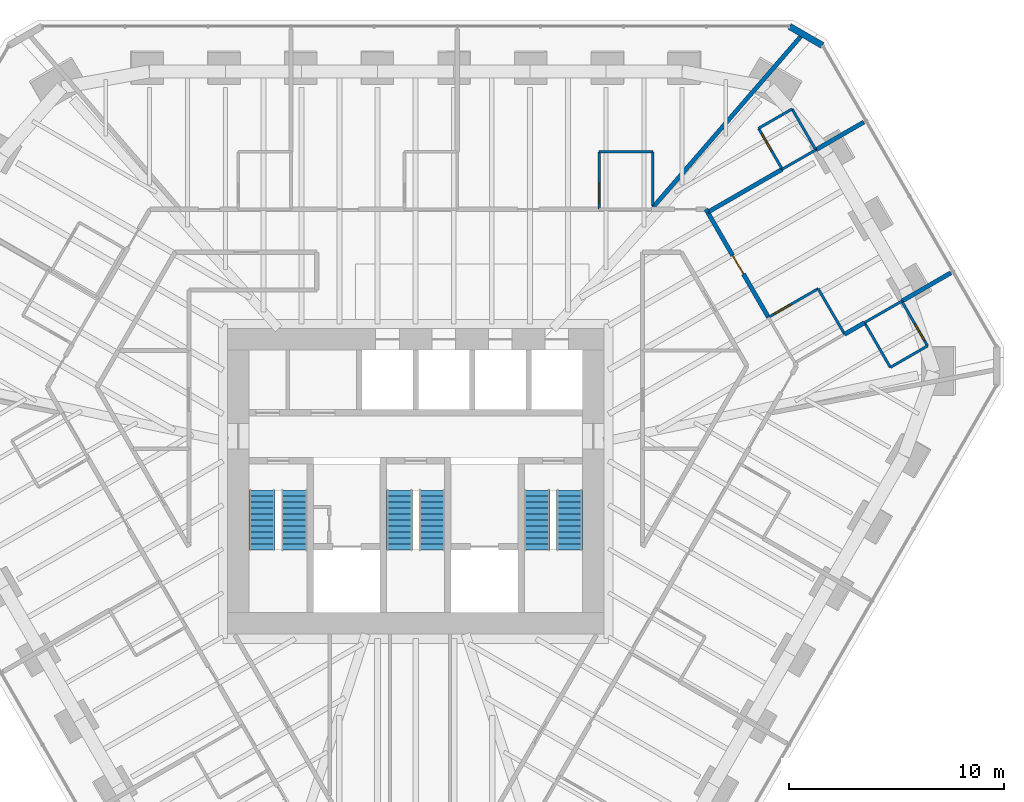
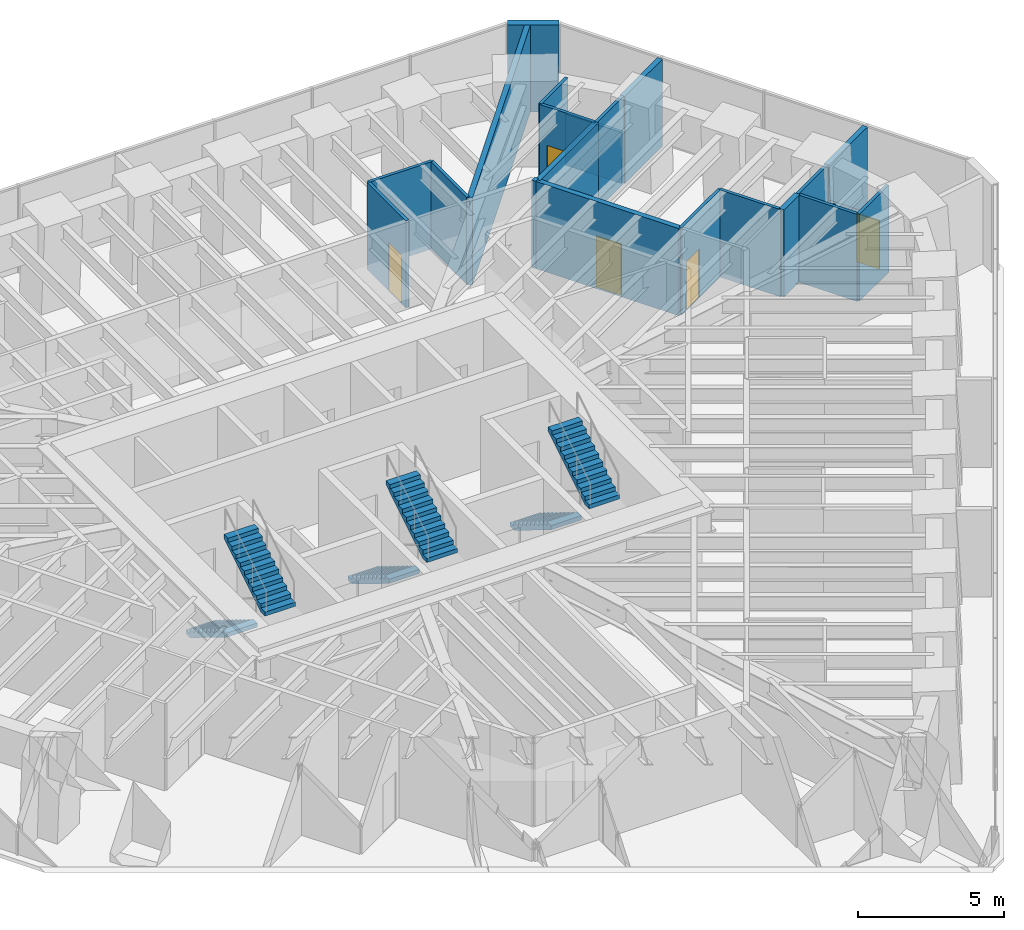
# One storey, part 15 of 16: 21 walls, 6 stair flights, 5 doors, 5 openings, 3 elements without a shape of their own.
"""IFC4 building model written with IfcOpenShell, lengths in metres."""

from ifc_helpers import new_model, si_unit, direction, frame, frame_2d, origin, place, context, subcontext, project, spatial, polyline, rectangle, outline, extrude, material, layer, layer_set, type_object, element, fill, aggregate, save


model = new_model("IFC4")

# Units and contexts
model_context = context("Model", 3, precision=1e-05, world=origin(), true_north=direction((0.0, 1.0)))
body_context = subcontext(model_context, "Body", "Model", "MODEL_VIEW")
ifc_project = project(units=[si_unit("LENGTHUNIT", "METRE"), si_unit("AREAUNIT", "SQUARE_METRE"), si_unit("VOLUMEUNIT", "CUBIC_METRE"), si_unit("PLANEANGLEUNIT", "RADIAN"), si_unit("MASSUNIT", "GRAM", prefix="KILO")], contexts=[model_context])

# Site, building, storey
site_placement = place(None, origin())
site = spatial("IfcSite", under=ifc_project, at=site_placement, CompositionType="ELEMENT")
building_placement = place(site_placement, origin())
building = spatial("IfcBuilding", under=site, at=building_placement, Name="Sandreach Pilgrim Tower", CompositionType="ELEMENT")
storey_placement = place(building_placement, frame((0.0, 0.0, 244.0)))
storey = spatial("IfcBuildingStorey", under=building, at=storey_placement, Name="L61", CompositionType="ELEMENT", Elevation=244.0)

# Wall, opening, door
ifc_material_1 = material(Name="Moisture-resistant gypsum board on steel studs", Category="steel")
ifc_layer_1 = layer(ifc_material_1, 0.1201171875)
ifc_layer_set_1 = layer_set([ifc_layer_1], Name="Bathroom partition 120")
wall_type_1 = type_object("IfcWallType", Name="Bathroom partition 120", PredefinedType="PARTITIONING", material=ifc_layer_set_1)
wall_1_placement = place(storey_placement, frame((8.530029296875, 15.330078125, 0.0), z_axis=(0.0, 0.0, 1.0), x_axis=(0.0, -1.0, 0.0)))
wall_1 = element("IfcWall", 1, at=wall_1_placement, inside=storey, type_object=wall_type_1, Name="Bathroom partition L61-095", PredefinedType="PARTITIONING", context=body_context, shape_type="SweptSolid", body=[
    extrude(rectangle(XDim=2.670166015625, YDim=0.1201171875, at=frame_2d((1.3349609375, 0.0))), origin(), (0.0, 0.0, 1.0), 3.639892578125),
])
opening_1_placement = place(wall_1_placement, frame((1.469970703125, 0.0, 0.0)))
opening_1 = element("IfcOpeningElement", 2, at=opening_1_placement, cuts=wall_1, Name="Opening D09-03B", PredefinedType="OPENING", context=body_context, shape_type="SweptSolid", body=[
    extrude(rectangle(XDim=0.89990234375, YDim=2.030029296875, at=frame_2d((0.449951171875, 1.01513671875))), frame((0.0, 0.06005859375, 0.0), z_axis=(0.0, -1.0, 0.0), x_axis=(1.0, 0.0, 0.0)), (0.0, 0.0, 1.0), 0.1201171875),
])
ifc_material_2 = material(Name="Timber door, steel frame", Category="steel")
door_type_1 = type_object("IfcDoorType", Name="Bathroom door", OperationType="SINGLE_SWING_LEFT", PredefinedType="DOOR", material=ifc_material_2)
door_1_placement = place(opening_1_placement, origin())
door_1 = element("IfcDoor", 3, at=door_1_placement, inside=storey, type_object=door_type_1, Name="Door 6103B", OperationType="SINGLE_SWING_RIGHT", OverallHeight=2.030029296875, OverallWidth=0.89990234375, PredefinedType="DOOR", context=body_context, shape_type="SweptSolid", body=[
    extrude(rectangle(XDim=0.89990234375, YDim=2.030029296875, at=frame_2d((0.449951171875, 1.01513671875))), frame((0.0, 0.02490234375, 0.0), z_axis=(0.0, -1.0, 0.0), x_axis=(1.0, 0.0, 0.0)), (0.0, 0.0, 1.0), 0.050048828125),
])
fill(opening_1, door_1)

# Walls
for number, where, z_axis, x_axis, name in (
    (4, (11.030029296875, 12.830078125, 0.0), (0.0, 0.0, 1.0), (0.0, 1.0, 0.0), "Bathroom partition L61-105"),
    (5, (11.030029296875, 15.330078125, 0.0), (0.0, 0.0, 1.0), (-1.0, 0.0, 0.0), "Bathroom partition L61-106"),
):
    element("IfcWall", number, at=place(storey_placement, frame(where, z_axis=z_axis, x_axis=x_axis)), inside=storey, type_object=wall_type_1, Name=name, PredefinedType="PARTITIONING", context=body_context, shape_type="SweptSolid", body=[
        extrude(rectangle(XDim=2.5, YDim=0.1201171875, at=frame_2d((1.25, 0.0))), origin(), (0.0, 0.0, 1.0), 3.639892578125),
    ])

# Wall, opening, door
wall_2_placement = place(storey_placement, frame((15.949951171875, 16.419921875, 0.0), z_axis=(0.0, 0.0, 1.0), x_axis=(0.501088872721, -0.865395829453, 0.0)))
wall_2 = element("IfcWall", 6, at=wall_2_placement, inside=storey, type_object=wall_type_1, Name="Bathroom partition L61-123", PredefinedType="PARTITIONING", context=body_context, shape_type="SweptSolid", body=[
    extrude(rectangle(XDim=2.1953125, YDim=0.1201171875, at=frame_2d((1.09765625, 0.0))), origin(), (0.0, 0.0, 1.0), 3.639892578125),
])
opening_2_placement = place(wall_2_placement, frame((0.300048828125, 0.0, 0.0)))
opening_2 = element("IfcOpeningElement", 7, at=opening_2_placement, cuts=wall_2, Name="Opening D09-04B", PredefinedType="OPENING", context=body_context, shape_type="SweptSolid", body=[
    extrude(rectangle(XDim=0.89990234375, YDim=2.030029296875, at=frame_2d((0.449951171875, 1.01513671875))), frame((0.0, 0.06005859375, 0.0), z_axis=(0.0, -1.0, 0.0), x_axis=(1.0, 0.0, 0.0)), (0.0, 0.0, 1.0), 0.1201171875),
])
door_2_placement = place(opening_2_placement, origin())
door_2 = element("IfcDoor", 8, at=door_2_placement, inside=storey, type_object=door_type_1, Name="Door 6104B", OperationType="SINGLE_SWING_LEFT", OverallHeight=2.030029296875, OverallWidth=0.89990234375, PredefinedType="DOOR", context=body_context, shape_type="SweptSolid", body=[
    extrude(rectangle(XDim=0.89990234375, YDim=2.030029296875, at=frame_2d((0.449951171875, 1.01513671875))), frame((0.0, 0.02490234375, 0.0), z_axis=(0.0, -1.0, 0.0), x_axis=(1.0, 0.0, 0.0)), (0.0, 0.0, 1.0), 0.050048828125),
])
fill(opening_2, door_2)

# Walls
for number, where, z_axis, x_axis, name in (
    (9, (17.050048828125, 14.52001953125, 0.0), (0.0, 0.0, 1.0), (0.866670415019, 0.498881139883, 0.0), "Bathroom partition L61-129"),
    (10, (17.510009765625, 17.320068359375, 0.0), (0.0, 0.0, 1.0), (-0.866158505053, -0.499769390944, 0.0), "Bathroom partition L61-131"),
):
    element("IfcWall", number, at=place(storey_placement, frame(where, z_axis=z_axis, x_axis=x_axis)), inside=storey, type_object=wall_type_1, Name=name, PredefinedType="PARTITIONING", context=body_context, shape_type="SweptSolid", body=[
        extrude(rectangle(XDim=1.801025390625, YDim=0.1201171875, at=frame_2d((0.900390625, 0.0))), origin(), (0.0, 0.0, 1.0), 3.639892578125),
    ])
wall_3_placement = place(storey_placement, frame((18.610107421875, 15.419921875, 0.0), z_axis=(0.0, 0.0, 1.0), x_axis=(-0.501040653706, 0.865423747845, 0.0)))
element("IfcWall", 11, at=wall_3_placement, inside=storey, type_object=wall_type_1, Name="Bathroom partition L61-134", PredefinedType="PARTITIONING", context=body_context, shape_type="SweptSolid", body=[
    extrude(rectangle(XDim=2.195556640625, YDim=0.1201171875, at=frame_2d((1.09765625, 0.0))), origin(), (0.0, 0.0, 1.0), 2.139892578125),
])

# Wall, opening, door
wall_4_placement = place(storey_placement, frame((18.719970703125, 8.9599609375, 0.0), z_axis=(0.0, 0.0, 1.0), x_axis=(-0.866654860089, -0.498908161372, 0.0)))
wall_4 = element("IfcWall", 12, at=wall_4_placement, inside=storey, type_object=wall_type_1, Name="Bathroom partition L61-136", PredefinedType="PARTITIONING", context=body_context, shape_type="SweptSolid", body=[
    extrude(rectangle(XDim=2.66552734375, YDim=0.1201171875, at=frame_2d((1.332763671875, 0.0))), origin(), (0.0, 0.0, 1.0), 3.639892578125),
])
opening_3_placement = place(wall_4_placement, frame((1.465576171875, 0.0, 0.0)))
opening_3 = element("IfcOpeningElement", 13, at=opening_3_placement, cuts=wall_4, Name="Opening D09-05B", PredefinedType="OPENING", context=body_context, shape_type="SweptSolid", body=[
    extrude(rectangle(XDim=0.89990234375, YDim=2.030029296875, at=frame_2d((0.449951171875, 1.01513671875))), frame((0.0, 0.06005859375, 0.0), z_axis=(0.0, -1.0, 0.0), x_axis=(1.0, 0.0, 0.0)), (0.0, 0.0, 1.0), 0.1201171875),
])
door_3_placement = place(opening_3_placement, origin())
door_3 = element("IfcDoor", 14, at=door_3_placement, inside=storey, type_object=door_type_1, Name="Door 6105B", OperationType="SINGLE_SWING_RIGHT", OverallHeight=2.030029296875, OverallWidth=0.89990234375, PredefinedType="DOOR", context=body_context, shape_type="SweptSolid", body=[
    extrude(rectangle(XDim=0.89990234375, YDim=2.030029296875, at=frame_2d((0.449951171875, 1.01513671875))), frame((0.0, 0.02490234375, 0.0), z_axis=(0.0, -1.0, 0.0), x_axis=(1.0, 0.0, 0.0)), (0.0, 0.0, 1.0), 0.050048828125),
])
fill(opening_3, door_3)

# Walls
wall_5_placement = place(storey_placement, frame((19.949951171875, 6.85009765625, 0.0), z_axis=(0.0, 0.0, 1.0), x_axis=(-0.503634814725, 0.863916647251, 0.0)))
element("IfcWall", 15, at=wall_5_placement, inside=storey, type_object=wall_type_1, Name="Bathroom partition L61-137", PredefinedType="PARTITIONING", context=body_context, shape_type="SweptSolid", body=[
    extrude(rectangle(XDim=2.442138671875, YDim=0.1201171875, at=frame_2d((1.22119140625, 0.0))), origin(), (0.0, 0.0, 1.0), 3.639892578125),
])
wall_6_placement = place(storey_placement, frame((20.878173828125, 7.383056640625, 0.0), z_axis=(0.0, 0.0, 1.0), x_axis=(0.866697688948, 0.498833755847, 0.0)))
element("IfcWall", 16, at=wall_6_placement, inside=storey, type_object=wall_type_1, Name="Bathroom partition L61-138", PredefinedType="PARTITIONING", context=body_context, shape_type="SweptSolid", body=[
    extrude(rectangle(XDim=1.998291015625, YDim=0.1201171875, at=frame_2d((0.9990234375, 0.0))), origin(), (0.0, 0.0, 1.0), 3.639892578125),
])
wall_7_placement = place(storey_placement, frame((20.8798828125, 7.3798828125, 0.0), z_axis=(0.0, 0.0, 1.0), x_axis=(0.499813401482, -0.866133109688, 0.0)))
element("IfcWall", 17, at=wall_7_placement, inside=storey, type_object=wall_type_1, Name="Bathroom partition L61-140", PredefinedType="PARTITIONING", context=body_context, shape_type="SweptSolid", body=[
    extrude(rectangle(XDim=2.4013671875, YDim=0.1201171875, at=frame_2d((1.20068359375, 0.0))), origin(), (0.0, 0.0, 1.0), 3.639892578125),
])
wall_8_placement = place(storey_placement, frame((22.080078125, 5.300048828125, 0.0), z_axis=(0.0, 0.0, 1.0), x_axis=(0.865766263046, 0.50044857655, 0.0)))
element("IfcWall", 18, at=wall_8_placement, inside=storey, type_object=wall_type_1, Name="Bathroom partition L61-141", PredefinedType="PARTITIONING", context=body_context, shape_type="SweptSolid", body=[
    extrude(rectangle(XDim=1.998291015625, YDim=0.1201171875, at=frame_2d((0.9990234375, 0.0))), origin(), (0.0, 0.0, 1.0), 3.639892578125),
])

# Wall, opening, door
wall_9_placement = place(storey_placement, frame((23.81005859375, 6.300048828125, 0.0), z_axis=(0.0, 0.0, 1.0), x_axis=(-0.499737123639, 0.866177122335, 0.0)))
wall_9 = element("IfcWall", 19, at=wall_9_placement, inside=storey, type_object=wall_type_1, Name="Bathroom partition L61-143", PredefinedType="PARTITIONING", context=body_context, shape_type="SweptSolid", body=[
    extrude(rectangle(XDim=2.401123046875, YDim=0.1201171875, at=frame_2d((1.20068359375, 0.0))), origin(), (0.0, 0.0, 1.0), 2.139892578125),
])
opening_4_placement = place(wall_9_placement, frame((0.300048828125, 0.0, 0.0)))
opening_4 = element("IfcOpeningElement", 20, at=opening_4_placement, cuts=wall_9, Name="Opening D09-06B", PredefinedType="OPENING", context=body_context, shape_type="SweptSolid", body=[
    extrude(rectangle(XDim=0.89990234375, YDim=2.030029296875, at=frame_2d((0.449951171875, 1.01513671875))), frame((0.0, 0.06005859375, 0.0), z_axis=(0.0, -1.0, 0.0), x_axis=(1.0, 0.0, 0.0)), (0.0, 0.0, 1.0), 0.1201171875),
])
door_4_placement = place(opening_4_placement, origin())
door_4 = element("IfcDoor", 21, at=door_4_placement, inside=storey, type_object=door_type_1, Name="Door 6106B", OperationType="SINGLE_SWING_LEFT", OverallHeight=2.030029296875, OverallWidth=0.89990234375, PredefinedType="DOOR", context=body_context, shape_type="SweptSolid", body=[
    extrude(rectangle(XDim=0.89990234375, YDim=2.030029296875, at=frame_2d((0.449951171875, 1.01513671875))), frame((0.0, 0.02490234375, 0.0), z_axis=(0.0, -1.0, 0.0), x_axis=(1.0, 0.0, 0.0)), (0.0, 0.0, 1.0), 0.050048828125),
])
fill(opening_4, door_4)

# Wall
ifc_material_3 = material(Name="Gypsum board on steel studs, two layers each side", Category="steel")
ifc_layer_2 = layer(ifc_material_3, 0.199951171875)
ifc_layer_set_2 = layer_set([ifc_layer_2], Name="Corridor wall 200")
wall_type_2 = type_object("IfcWallType", Name="Corridor wall 200", PredefinedType="PARTITIONING", material=ifc_layer_set_2)
wall_10_placement = place(storey_placement, frame((13.5, 12.659912109375, 0.0), z_axis=(0.0, 0.0, 1.0), x_axis=(0.501036270542, -0.865426285481, 0.0)))
element("IfcWall", 22, at=wall_10_placement, inside=storey, type_object=wall_type_2, Name="Corridor wall L61-115", PredefinedType="PARTITIONING", context=body_context, shape_type="SweptSolid", body=[
    extrude(rectangle(XDim=0.166259765625, YDim=0.199951171875, at=frame_2d((0.0830078125, 0.0))), origin(), (0.0, 0.0, 1.0), 3.639892578125),
])

# Wall, opening, door
wall_11_placement = place(storey_placement, frame((13.583251953125, 12.51611328125, 0.0), z_axis=(0.0, 0.0, 1.0), x_axis=(0.500743006408, -0.865596003649, 0.0)))
wall_11 = element("IfcWall", 23, at=wall_11_placement, inside=storey, type_object=wall_type_2, Name="Corridor wall L61-116", PredefinedType="PARTITIONING", context=body_context, shape_type="SweptSolid", body=[
    extrude(rectangle(XDim=5.64501953125, YDim=0.199951171875, at=frame_2d((2.822509765625, 0.0))), origin(), (0.0, 0.0, 1.0), 3.639892578125),
])
opening_5_placement = place(wall_11_placement, frame((2.322509765625, 0.0, 0.0)))
opening_5 = element("IfcOpeningElement", 24, at=opening_5_placement, cuts=wall_11, Name="Opening D10-05", PredefinedType="OPENING", context=body_context, shape_type="SweptSolid", body=[
    extrude(rectangle(XDim=1.0, YDim=2.1298828125, at=frame_2d((0.5, 1.06494140625))), frame((0.0, 0.10009765625, 0.0), z_axis=(0.0, -1.0, 0.0), x_axis=(1.0, 0.0, 0.0)), (0.0, 0.0, 1.0), 0.199951171875),
])
ifc_material_4 = material(Name="Steel door and frame", Category="steel")
door_type_2 = type_object("IfcDoorType", Name="Guest room entry door", OperationType="SINGLE_SWING_LEFT", PredefinedType="DOOR", material=ifc_material_4)
door_5_placement = place(opening_5_placement, origin())
door_5 = element("IfcDoor", 25, at=door_5_placement, inside=storey, type_object=door_type_2, Name="Door 6105", OperationType="SINGLE_SWING_LEFT", OverallHeight=2.1298828125, OverallWidth=1.0, PredefinedType="DOOR", context=body_context, shape_type="SweptSolid", body=[
    extrude(rectangle(XDim=1.0, YDim=2.1298828125, at=frame_2d((0.5, 1.06494140625))), frame((0.0, 0.02490234375, 0.0), z_axis=(0.0, -1.0, 0.0), x_axis=(1.0, 0.0, 0.0)), (0.0, 0.0, 1.0), 0.050048828125),
])
fill(opening_5, door_5)

# Walls
ifc_material_5 = material(Name="Double steel stud acoustic wall, gypsum board", Category="steel")
ifc_layer_3 = layer(ifc_material_5, 0.199951171875)
ifc_layer_set_3 = layer_set([ifc_layer_3], Name="Party wall 200")
wall_type_3 = type_object("IfcWallType", Name="Party wall 200", PredefinedType="PARTITIONING", material=ifc_layer_set_3)
wall_12_placement = place(storey_placement, frame((11.039794921875, 12.751220703125, 0.0), z_axis=(0.0, 0.0, 1.0), x_axis=(0.654384042683, 0.756162366613, 0.0)))
element("IfcWall", 26, at=wall_12_placement, inside=storey, type_object=wall_type_3, Name="Party wall L61-107", PredefinedType="PARTITIONING", context=body_context, shape_type="SweptSolid", body=[
    extrude(rectangle(XDim=10.667236328125, YDim=0.199951171875, at=frame_2d((5.33349609375, 0.0))), origin(), (0.0, 0.0, 1.0), 3.639892578125),
])
wall_13_placement = place(storey_placement, frame((13.59423828125, 12.5224609375, 0.0), z_axis=(0.0, 0.0, 1.0), x_axis=(0.866085778049, 0.499895414124, 0.0)))
element("IfcWall", 27, at=wall_13_placement, inside=storey, type_object=wall_type_3, Name="Party wall L61-117", PredefinedType="PARTITIONING", context=body_context, shape_type="SweptSolid", body=[
    extrude(rectangle(XDim=3.991455078125, YDim=0.199951171875, at=frame_2d((1.99560546875, 0.0))), origin(), (0.0, 0.0, 1.0), 3.639892578125),
])
wall_14_placement = place(storey_placement, frame((18.61083984375, 15.41845703125, 0.0), z_axis=(0.0, 0.0, 1.0), x_axis=(0.865870535136, 0.500268144481, 0.0)))
element("IfcWall", 28, at=wall_14_placement, inside=storey, type_object=wall_type_3, Name="Party wall L61-135", PredefinedType="PARTITIONING", context=body_context, shape_type="SweptSolid", body=[
    extrude(rectangle(XDim=2.58154296875, YDim=0.199951171875, at=frame_2d((1.290771484375, 0.0))), origin(), (0.0, 0.0, 1.0), 3.639892578125),
])
wall_15_placement = place(storey_placement, frame((20.8798828125, 7.3798828125, 0.0), z_axis=(0.0, 0.0, 1.0), x_axis=(-0.864855730486, -0.502020483094, 0.0)))
element("IfcWall", 29, at=wall_15_placement, inside=storey, type_object=wall_type_3, Name="Party wall L61-139", PredefinedType="PARTITIONING", context=body_context, shape_type="SweptSolid", body=[
    extrude(rectangle(XDim=1.0751953125, YDim=0.199951171875, at=frame_2d((0.53759765625, 0.0))), origin(), (0.0, 0.0, 1.0), 3.639892578125),
])
wall_16_placement = place(storey_placement, frame((22.610107421875, 8.3798828125, 0.0), z_axis=(0.0, 0.0, 1.0), x_axis=(0.865974560031, 0.500088053625, 0.0)))
element("IfcWall", 30, at=wall_16_placement, inside=storey, type_object=wall_type_3, Name="Party wall L61-142", PredefinedType="PARTITIONING", context=body_context, shape_type="SweptSolid", body=[
    extrude(rectangle(XDim=2.6396484375, YDim=0.199951171875, at=frame_2d((1.31982421875, 0.0))), origin(), (0.0, 0.0, 1.0), 3.639892578125),
])
ifc_material_6 = material(Name="Terracotta rainscreen on concrete", Category="masonry")
ifc_layer_4 = layer(ifc_material_6, 0.300048828125)
ifc_layer_set_4 = layer_set([ifc_layer_4], Name="Terracotta chamfer pier")
wall_type_4 = type_object("IfcWallType", Name="Terracotta chamfer pier", PredefinedType="SOLIDWALL", material=ifc_layer_set_4)
wall_17_placement = place(storey_placement, frame((17.389892578125, 21.16015625, 0.0), z_axis=(0.0, 0.0, 1.0), x_axis=(0.866036293601, -0.499981137809, 0.0)))
element("IfcWall", 31, at=wall_17_placement, inside=storey, type_object=wall_type_4, Name="Chamfer pier L61 N", PredefinedType="SOLIDWALL", context=body_context, shape_type="SweptSolid", body=[
    extrude(rectangle(XDim=1.77001953125, YDim=0.300048828125, at=frame_2d((0.885009765625, 0.0))), origin(), (0.0, 0.0, 1.0), 3.639892578125),
])

# Stair, stair flights
ifc_material_7 = material(Name="Concrete 8000 psi", Category="concrete")
stair_type = type_object("IfcStairType", Name="Core exit stair", PredefinedType="HALF_TURN_STAIR", material=ifc_material_7)
stair_1_placement = place(storey_placement, origin())
stair_1 = element("IfcStair", 32, at=stair_1_placement, inside=storey, type_object=stair_type, Name="Exit stair ST1 L61", PredefinedType="HALF_TURN_STAIR")
ifc_material_8 = material(Name="Concrete 8000 psi", Category="concrete")
stair_flight_type = type_object("IfcStairFlightType", Name="Core stair flight 1200", PredefinedType="STRAIGHT", material=ifc_material_8)
stair_flight_1_placement = place(storey_placement, frame((-7.14990234375, -0.39990234375, 0.0), z_axis=(0.0, 0.0, 1.0), x_axis=(0.0, -1.0, 0.0)))
stair_flight_1 = element("IfcStairFlight", 33, at=stair_flight_1_placement, type_object=stair_flight_type, Name="ST1 flight 1", NumberOfRisers=11, NumberOfTreads=10, PredefinedType="STRAIGHT", RiserHeight=0.172727273, TreadLength=0.28, context=body_context, shape_type="SweptSolid", body=[
    extrude(outline(polyline([(0.0, 0.0), (0.0, 0.172607421875), (0.280029296875, 0.172607421875), (0.280029296875, 0.345458984375), (0.56005859375, 0.345458984375), (0.56005859375, 0.51806640625), (0.840087890625, 0.51806640625), (0.840087890625, 0.69091796875), (1.1201171875, 0.69091796875), (1.1201171875, 0.863525390625), (1.39990234375, 0.863525390625), (1.39990234375, 1.036376953125), (1.679931640625, 1.036376953125), (1.679931640625, 1.208984375), (1.9599609375, 1.208984375), (1.9599609375, 1.3818359375), (2.239990234375, 1.3818359375), (2.239990234375, 1.554443359375), (2.52001953125, 1.554443359375), (2.52001953125, 1.727294921875), (2.800048828125, 1.727294921875), (2.800048828125, 1.89990234375), (2.800048828125, 1.551025390625), (0.285400390625, 0.0), (0.0, 0.0)])), frame((0.0, 0.60009765625, 0.0), z_axis=(0.0, -1.0, 0.0), x_axis=(1.0, 0.0, 0.0)), (0.0, 0.0, 1.0), 1.199951171875),
])
stair_flight_2_placement = place(storey_placement, frame((-5.64990234375, -3.199951171875, 1.89990234375), z_axis=(0.0, 0.0, 1.0), x_axis=(0.0, 1.0, 0.0)))
stair_flight_2 = element("IfcStairFlight", 34, at=stair_flight_2_placement, type_object=stair_flight_type, Name="ST1 flight 2", NumberOfRisers=11, NumberOfTreads=10, PredefinedType="STRAIGHT", RiserHeight=0.172727273, TreadLength=0.28, context=body_context, shape_type="SweptSolid", body=[
    extrude(outline(polyline([(0.0, 0.0), (0.0, 0.172607421875), (0.280029296875, 0.172607421875), (0.280029296875, 0.345458984375), (0.56005859375, 0.345458984375), (0.56005859375, 0.51806640625), (0.840087890625, 0.51806640625), (0.840087890625, 0.69091796875), (1.1201171875, 0.69091796875), (1.1201171875, 0.863525390625), (1.39990234375, 0.863525390625), (1.39990234375, 1.036376953125), (1.679931640625, 1.036376953125), (1.679931640625, 1.208984375), (1.9599609375, 1.208984375), (1.9599609375, 1.3818359375), (2.239990234375, 1.3818359375), (2.239990234375, 1.554443359375), (2.52001953125, 1.554443359375), (2.52001953125, 1.727294921875), (2.800048828125, 1.727294921875), (2.800048828125, 1.89990234375), (2.800048828125, 1.551025390625), (0.285400390625, 0.0), (0.0, 0.0)])), frame((0.0, 0.60009765625, 0.0), z_axis=(0.0, -1.0, 0.0), x_axis=(1.0, 0.0, 0.0)), (0.0, 0.0, 1.0), 1.199951171875),
])
aggregate(stair_1, [stair_flight_1, stair_flight_2])

stair_2_placement = place(storey_placement, origin())
stair_2 = element("IfcStair", 35, at=stair_2_placement, inside=storey, type_object=stair_type, Name="Exit stair ST3 L61", PredefinedType="HALF_TURN_STAIR")
stair_flight_3_placement = place(storey_placement, frame((-0.75, -0.39990234375, 0.0), z_axis=(0.0, 0.0, 1.0), x_axis=(0.0, -1.0, 0.0)))
stair_flight_3 = element("IfcStairFlight", 36, at=stair_flight_3_placement, type_object=stair_flight_type, Name="ST3 flight 1", NumberOfRisers=11, NumberOfTreads=10, PredefinedType="STRAIGHT", RiserHeight=0.172727273, TreadLength=0.28, context=body_context, shape_type="SweptSolid", body=[
    extrude(outline(polyline([(0.0, 0.0), (0.0, 0.172607421875), (0.280029296875, 0.172607421875), (0.280029296875, 0.345458984375), (0.56005859375, 0.345458984375), (0.56005859375, 0.51806640625), (0.840087890625, 0.51806640625), (0.840087890625, 0.69091796875), (1.1201171875, 0.69091796875), (1.1201171875, 0.863525390625), (1.39990234375, 0.863525390625), (1.39990234375, 1.036376953125), (1.679931640625, 1.036376953125), (1.679931640625, 1.208984375), (1.9599609375, 1.208984375), (1.9599609375, 1.3818359375), (2.239990234375, 1.3818359375), (2.239990234375, 1.554443359375), (2.52001953125, 1.554443359375), (2.52001953125, 1.727294921875), (2.800048828125, 1.727294921875), (2.800048828125, 1.89990234375), (2.800048828125, 1.551025390625), (0.285400390625, 0.0), (0.0, 0.0)])), frame((0.0, 0.60009765625, 0.0), z_axis=(0.0, -1.0, 0.0), x_axis=(1.0, 0.0, 0.0)), (0.0, 0.0, 1.0), 1.199951171875),
])
stair_flight_4_placement = place(storey_placement, frame((0.75, -3.199951171875, 1.89990234375), z_axis=(0.0, 0.0, 1.0), x_axis=(0.0, 1.0, 0.0)))
stair_flight_4 = element("IfcStairFlight", 37, at=stair_flight_4_placement, type_object=stair_flight_type, Name="ST3 flight 2", NumberOfRisers=11, NumberOfTreads=10, PredefinedType="STRAIGHT", RiserHeight=0.172727273, TreadLength=0.28, context=body_context, shape_type="SweptSolid", body=[
    extrude(outline(polyline([(0.0, 0.0), (0.0, 0.172607421875), (0.280029296875, 0.172607421875), (0.280029296875, 0.345458984375), (0.56005859375, 0.345458984375), (0.56005859375, 0.51806640625), (0.840087890625, 0.51806640625), (0.840087890625, 0.69091796875), (1.1201171875, 0.69091796875), (1.1201171875, 0.863525390625), (1.39990234375, 0.863525390625), (1.39990234375, 1.036376953125), (1.679931640625, 1.036376953125), (1.679931640625, 1.208984375), (1.9599609375, 1.208984375), (1.9599609375, 1.3818359375), (2.239990234375, 1.3818359375), (2.239990234375, 1.554443359375), (2.52001953125, 1.554443359375), (2.52001953125, 1.727294921875), (2.800048828125, 1.727294921875), (2.800048828125, 1.89990234375), (2.800048828125, 1.551025390625), (0.285400390625, 0.0), (0.0, 0.0)])), frame((0.0, 0.60009765625, 0.0), z_axis=(0.0, -1.0, 0.0), x_axis=(1.0, 0.0, 0.0)), (0.0, 0.0, 1.0), 1.199951171875),
])
aggregate(stair_2, [stair_flight_3, stair_flight_4])

stair_3_placement = place(storey_placement, origin())
stair_3 = element("IfcStair", 38, at=stair_3_placement, inside=storey, type_object=stair_type, Name="Exit stair ST2 L61", PredefinedType="HALF_TURN_STAIR")
stair_flight_5_placement = place(storey_placement, frame((5.64990234375, -0.39990234375, 0.0), z_axis=(0.0, 0.0, 1.0), x_axis=(0.0, -1.0, 0.0)))
stair_flight_5 = element("IfcStairFlight", 39, at=stair_flight_5_placement, type_object=stair_flight_type, Name="ST2 flight 1", NumberOfRisers=11, NumberOfTreads=10, PredefinedType="STRAIGHT", RiserHeight=0.172727273, TreadLength=0.28, context=body_context, shape_type="SweptSolid", body=[
    extrude(outline(polyline([(0.0, 0.0), (0.0, 0.172607421875), (0.280029296875, 0.172607421875), (0.280029296875, 0.345458984375), (0.56005859375, 0.345458984375), (0.56005859375, 0.51806640625), (0.840087890625, 0.51806640625), (0.840087890625, 0.69091796875), (1.1201171875, 0.69091796875), (1.1201171875, 0.863525390625), (1.39990234375, 0.863525390625), (1.39990234375, 1.036376953125), (1.679931640625, 1.036376953125), (1.679931640625, 1.208984375), (1.9599609375, 1.208984375), (1.9599609375, 1.3818359375), (2.239990234375, 1.3818359375), (2.239990234375, 1.554443359375), (2.52001953125, 1.554443359375), (2.52001953125, 1.727294921875), (2.800048828125, 1.727294921875), (2.800048828125, 1.89990234375), (2.800048828125, 1.551025390625), (0.285400390625, 0.0), (0.0, 0.0)])), frame((0.0, 0.60009765625, 0.0), z_axis=(0.0, -1.0, 0.0), x_axis=(1.0, 0.0, 0.0)), (0.0, 0.0, 1.0), 1.199951171875),
])
stair_flight_6_placement = place(storey_placement, frame((7.14990234375, -3.199951171875, 1.89990234375), z_axis=(0.0, 0.0, 1.0), x_axis=(0.0, 1.0, 0.0)))
stair_flight_6 = element("IfcStairFlight", 40, at=stair_flight_6_placement, type_object=stair_flight_type, Name="ST2 flight 2", NumberOfRisers=11, NumberOfTreads=10, PredefinedType="STRAIGHT", RiserHeight=0.172727273, TreadLength=0.28, context=body_context, shape_type="SweptSolid", body=[
    extrude(outline(polyline([(0.0, 0.0), (0.0, 0.172607421875), (0.280029296875, 0.172607421875), (0.280029296875, 0.345458984375), (0.56005859375, 0.345458984375), (0.56005859375, 0.51806640625), (0.840087890625, 0.51806640625), (0.840087890625, 0.69091796875), (1.1201171875, 0.69091796875), (1.1201171875, 0.863525390625), (1.39990234375, 0.863525390625), (1.39990234375, 1.036376953125), (1.679931640625, 1.036376953125), (1.679931640625, 1.208984375), (1.9599609375, 1.208984375), (1.9599609375, 1.3818359375), (2.239990234375, 1.3818359375), (2.239990234375, 1.554443359375), (2.52001953125, 1.554443359375), (2.52001953125, 1.727294921875), (2.800048828125, 1.727294921875), (2.800048828125, 1.89990234375), (2.800048828125, 1.551025390625), (0.285400390625, 0.0), (0.0, 0.0)])), frame((0.0, 0.60009765625, 0.0), z_axis=(0.0, -1.0, 0.0), x_axis=(1.0, 0.0, 0.0)), (0.0, 0.0, 1.0), 1.199951171875),
])
aggregate(stair_3, [stair_flight_5, stair_flight_6])

save(model, "model.ifc")
